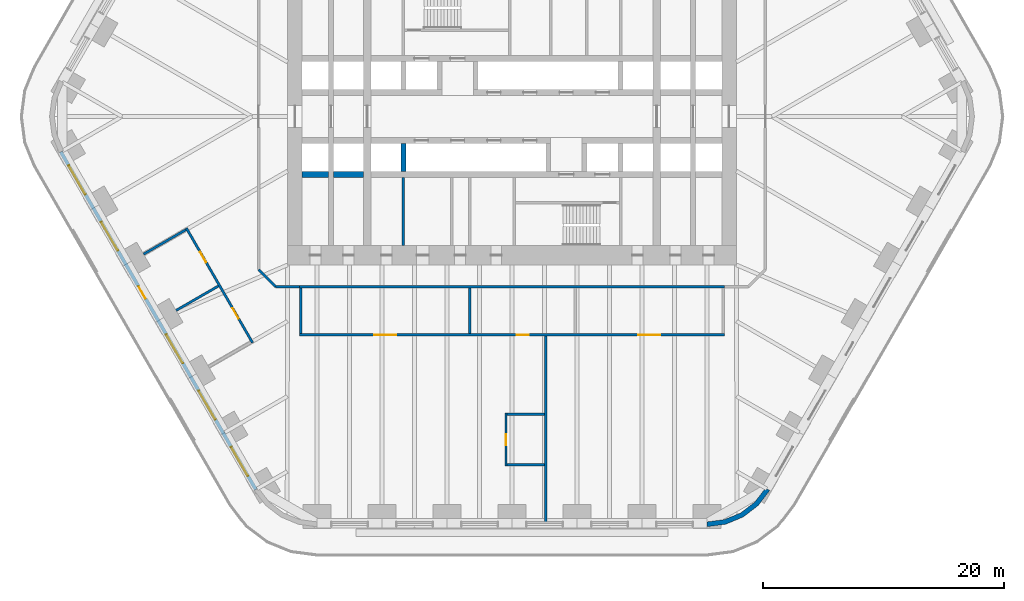
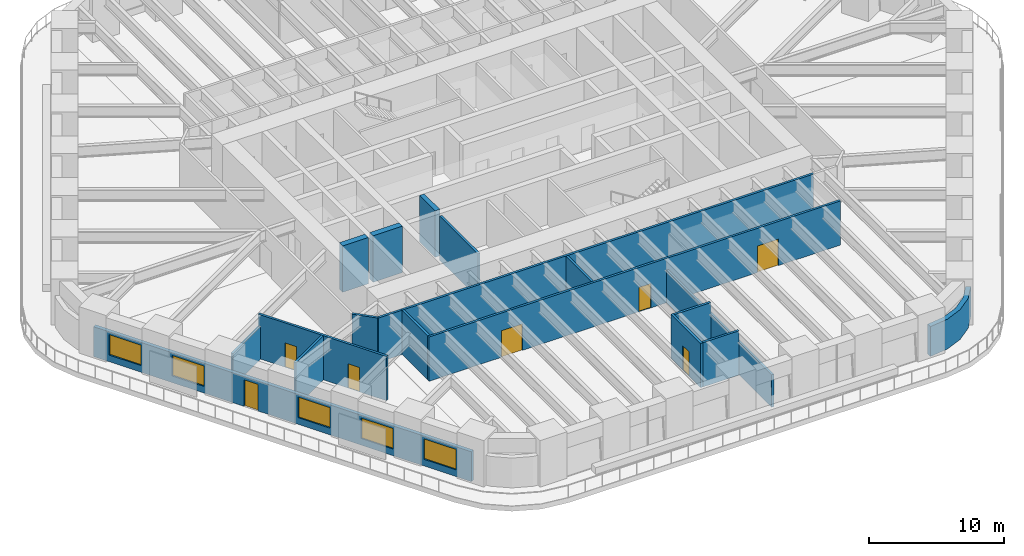
# One storey, part 16 of 23: 19 walls, 7 doors, 5 windows, 12 openings.
"""IFC4 building model written with IfcOpenShell, lengths in metres."""

from ifc_helpers import new_model, si_unit, direction, frame, frame_2d, origin, place, context, subcontext, project, spatial, polyline, rectangle, outline, extrude, material, layer, layer_set, type_object, element, fill, save


model = new_model("IFC4")

# Units and contexts
model_context = context("Model", 3, precision=1e-05, world=origin(), true_north=direction((0.0, 1.0)))
body_context = subcontext(model_context, "Body", "Model", "MODEL_VIEW")
ifc_project = project(units=[si_unit("LENGTHUNIT", "METRE"), si_unit("AREAUNIT", "SQUARE_METRE"), si_unit("VOLUMEUNIT", "CUBIC_METRE"), si_unit("PLANEANGLEUNIT", "RADIAN"), si_unit("MASSUNIT", "GRAM", prefix="KILO")], contexts=[model_context])

# Site, building, storey
site_placement = place(None, origin())
site = spatial("IfcSite", under=ifc_project, at=site_placement, CompositionType="ELEMENT")
building_placement = place(site_placement, origin())
building = spatial("IfcBuilding", under=site, at=building_placement, Name="Tarfa Lantern Tower", CompositionType="ELEMENT")
storey_placement = place(building_placement, frame((0.0, 0.0, 36.10009765625)))
storey = spatial("IfcBuildingStorey", under=building, at=storey_placement, Name="L07", CompositionType="ELEMENT", Elevation=36.10009765625)

# Wall, openings, door, windows
ifc_material_1 = material(Name="Limestone cladding on blockwork", Category="masonry")
ifc_layer_1 = layer(ifc_material_1, 0.300048828125)
ifc_layer_set_1 = layer_set([ifc_layer_1], Name="EW1 STONE-CLAD WALL 300")
wall_type_1 = type_object("IfcWallType", Name="EW1 STONE-CLAD WALL 300", PredefinedType="SOLIDWALL", material=ifc_layer_set_1)
wall_1_placement = place(storey_placement, frame((-37.39794921875, -2.925048828125, 0.0), z_axis=(0.0, 0.0, 1.0), x_axis=(0.499999163675, -0.866025886636, 0.0)))
wall_1 = element("IfcWall", 1, at=wall_1_placement, inside=storey, type_object=wall_type_1, Name="Stone wall SW", PredefinedType="SOLIDWALL", context=body_context, shape_type="SweptSolid", body=[
    extrude(rectangle(XDim=32.33154296875, YDim=0.300048828125, at=frame_2d((16.165771484375, 0.0))), origin(), (0.0, 0.0, 1.0), 2.699951171875),
])
opening_1_placement = place(wall_1_placement, frame((1.3193359375, 0.0, 0.60009765625)))
opening_1 = element("IfcOpeningElement", 2, at=opening_1_placement, cuts=wall_1, Name="Opening W2", PredefinedType="OPENING", context=body_context, shape_type="SweptSolid", body=[
    extrude(rectangle(XDim=2.75, YDim=1.85009765625, at=frame_2d((1.375, 0.925048828125))), frame((0.0, 0.159912109375, 0.0), z_axis=(0.0, -1.0, 0.0), x_axis=(1.0, 0.0, 0.0)), (0.0, 0.0, 1.0), 0.320068359375),
])
opening_2_placement = place(wall_1_placement, frame((6.7080078125, 0.0, 0.60009765625)))
opening_2 = element("IfcOpeningElement", 3, at=opening_2_placement, cuts=wall_1, Name="Opening W2", PredefinedType="OPENING", context=body_context, shape_type="SweptSolid", body=[
    extrude(rectangle(XDim=2.75, YDim=1.85009765625, at=frame_2d((1.375, 0.925048828125))), frame((0.0, 0.159912109375, 0.0), z_axis=(0.0, -1.0, 0.0), x_axis=(1.0, 0.0, 0.0)), (0.0, 0.0, 1.0), 0.320068359375),
])
opening_3_placement = place(wall_1_placement, frame((12.87158203125, 0.0, 0.0)))
opening_3 = element("IfcOpeningElement", 4, at=opening_3_placement, cuts=wall_1, Name="Opening D43", PredefinedType="OPENING", context=body_context, shape_type="SweptSolid", body=[
    extrude(rectangle(XDim=1.199951171875, YDim=2.39990234375, at=frame_2d((0.60009765625, 1.199951171875))), frame((0.0, 0.159912109375, 0.0), z_axis=(0.0, -1.0, 0.0), x_axis=(1.0, 0.0, 0.0)), (0.0, 0.0, 1.0), 0.320068359375),
])
opening_4_placement = place(wall_1_placement, frame((17.485107421875, 0.0, 0.60009765625)))
opening_4 = element("IfcOpeningElement", 5, at=opening_4_placement, cuts=wall_1, Name="Opening W2", PredefinedType="OPENING", context=body_context, shape_type="SweptSolid", body=[
    extrude(rectangle(XDim=2.75, YDim=1.85009765625, at=frame_2d((1.375, 0.925048828125))), frame((0.0, 0.159912109375, 0.0), z_axis=(0.0, -1.0, 0.0), x_axis=(1.0, 0.0, 0.0)), (0.0, 0.0, 1.0), 0.320068359375),
])
opening_5_placement = place(wall_1_placement, frame((22.873779296875, 0.0, 0.60009765625)))
opening_5 = element("IfcOpeningElement", 6, at=opening_5_placement, cuts=wall_1, Name="Opening W2", PredefinedType="OPENING", context=body_context, shape_type="SweptSolid", body=[
    extrude(rectangle(XDim=2.75, YDim=1.85009765625, at=frame_2d((1.375, 0.925048828125))), frame((0.0, 0.159912109375, 0.0), z_axis=(0.0, -1.0, 0.0), x_axis=(1.0, 0.0, 0.0)), (0.0, 0.0, 1.0), 0.320068359375),
])
opening_6_placement = place(wall_1_placement, frame((28.26220703125, 0.0, 0.60009765625)))
opening_6 = element("IfcOpeningElement", 7, at=opening_6_placement, cuts=wall_1, Name="Opening W2", PredefinedType="OPENING", context=body_context, shape_type="SweptSolid", body=[
    extrude(rectangle(XDim=2.75, YDim=1.85009765625, at=frame_2d((1.375, 0.925048828125))), frame((0.0, 0.159912109375, 0.0), z_axis=(0.0, -1.0, 0.0), x_axis=(1.0, 0.0, 0.0)), (0.0, 0.0, 1.0), 0.320068359375),
])
ifc_material_2 = material(Name="Aluminium framed glazed door", Category="aluminium")
door_type_1 = type_object("IfcDoorType", Name="BE3 BALCONY DOOR 1200x2400", OperationType="SINGLE_SWING_RIGHT", PredefinedType="DOOR", material=ifc_material_2)
door_1_placement = place(opening_3_placement, origin())
door_1 = element("IfcDoor", 8, at=door_1_placement, inside=storey, type_object=door_type_1, Name="Balcony door SW", OperationType="SINGLE_SWING_RIGHT", OverallHeight=2.39990234375, OverallWidth=1.199951171875, PredefinedType="DOOR", context=body_context, shape_type="SweptSolid", body=[
    extrude(rectangle(XDim=1.199951171875, YDim=2.39990234375, at=frame_2d((0.60009765625, 1.199951171875))), frame((0.0, 0.02490234375, 0.0), z_axis=(0.0, -1.0, 0.0), x_axis=(1.0, 0.0, 0.0)), (0.0, 0.0, 1.0), 0.050048828125),
])
fill(opening_3, door_1)
ifc_material_3 = material(Name="Aluminium frame, double glazed", Category="aluminium")
window_type = type_object("IfcWindowType", Name="W2 FULL-HEIGHT GLAZING 2750x1850", PartitioningType="SINGLE_PANEL", PredefinedType="WINDOW", material=ifc_material_3)
window_1_placement = place(opening_1_placement, origin())
window_1 = element("IfcWindow", 9, at=window_1_placement, inside=storey, type_object=window_type, Name="Window SW 1", OverallHeight=1.85009765625, OverallWidth=2.75, PartitioningType="SINGLE_PANEL", PredefinedType="WINDOW", context=body_context, shape_type="SweptSolid", body=[
    extrude(rectangle(XDim=2.75, YDim=1.85009765625, at=frame_2d((1.375, 0.925048828125))), frame((0.0, 0.030029296875, 0.0), z_axis=(0.0, -1.0, 0.0), x_axis=(1.0, 0.0, 0.0)), (0.0, 0.0, 1.0), 0.06005859375),
])
fill(opening_1, window_1)
window_2_placement = place(opening_2_placement, origin())
window_2 = element("IfcWindow", 10, at=window_2_placement, inside=storey, type_object=window_type, Name="Window SW 2", OverallHeight=1.85009765625, OverallWidth=2.75, PartitioningType="SINGLE_PANEL", PredefinedType="WINDOW", context=body_context, shape_type="SweptSolid", body=[
    extrude(rectangle(XDim=2.75, YDim=1.85009765625, at=frame_2d((1.375, 0.925048828125))), frame((0.0, 0.030029296875, 0.0), z_axis=(0.0, -1.0, 0.0), x_axis=(1.0, 0.0, 0.0)), (0.0, 0.0, 1.0), 0.06005859375),
])
fill(opening_2, window_2)
window_3_placement = place(opening_4_placement, origin())
window_3 = element("IfcWindow", 11, at=window_3_placement, inside=storey, type_object=window_type, Name="Window SW 4", OverallHeight=1.85009765625, OverallWidth=2.75, PartitioningType="SINGLE_PANEL", PredefinedType="WINDOW", context=body_context, shape_type="SweptSolid", body=[
    extrude(rectangle(XDim=2.75, YDim=1.85009765625, at=frame_2d((1.375, 0.925048828125))), frame((0.0, 0.030029296875, 0.0), z_axis=(0.0, -1.0, 0.0), x_axis=(1.0, 0.0, 0.0)), (0.0, 0.0, 1.0), 0.06005859375),
])
fill(opening_4, window_3)
window_4_placement = place(opening_5_placement, origin())
window_4 = element("IfcWindow", 12, at=window_4_placement, inside=storey, type_object=window_type, Name="Window SW 5", OverallHeight=1.85009765625, OverallWidth=2.75, PartitioningType="SINGLE_PANEL", PredefinedType="WINDOW", context=body_context, shape_type="SweptSolid", body=[
    extrude(rectangle(XDim=2.75, YDim=1.85009765625, at=frame_2d((1.375, 0.925048828125))), frame((0.0, 0.030029296875, 0.0), z_axis=(0.0, -1.0, 0.0), x_axis=(1.0, 0.0, 0.0)), (0.0, 0.0, 1.0), 0.06005859375),
])
fill(opening_5, window_4)
window_5_placement = place(opening_6_placement, origin())
window_5 = element("IfcWindow", 13, at=window_5_placement, inside=storey, type_object=window_type, Name="Window SW 6", OverallHeight=1.85009765625, OverallWidth=2.75, PartitioningType="SINGLE_PANEL", PredefinedType="WINDOW", context=body_context, shape_type="SweptSolid", body=[
    extrude(rectangle(XDim=2.75, YDim=1.85009765625, at=frame_2d((1.375, 0.925048828125))), frame((0.0, 0.030029296875, 0.0), z_axis=(0.0, -1.0, 0.0), x_axis=(1.0, 0.0, 0.0)), (0.0, 0.0, 1.0), 0.06005859375),
])
fill(opening_6, window_5)

# Walls
ifc_layer_2 = layer(ifc_material_1, 0.39990234375)
ifc_layer_set_2 = layer_set([ifc_layer_2], Name="EW2 CURVED STONE CORNER 400")
wall_type_2 = type_object("IfcWallType", Name="EW2 CURVED STONE CORNER 400", PredefinedType="SOLIDWALL", material=ifc_layer_set_2)
wall_2_placement = place(storey_placement, origin())
element("IfcWall", 14, at=wall_2_placement, inside=storey, type_object=wall_type_2, Name="Stone corner S-SE", PredefinedType="SOLIDWALL", context=body_context, shape_type="SweptSolid", body=[
    extrude(outline(polyline([(16.165771484375, -34.0), (17.71875, -33.795654296875), (19.165771484375, -33.196044921875), (20.408447265625, -32.24267578125), (21.362060546875, -31.0), (21.015625, -30.800048828125), (20.12548828125, -31.959716796875), (18.9658203125, -32.849853515625), (17.615234375, -33.4091796875), (16.165771484375, -33.60009765625), (16.165771484375, -34.0)])), origin(), (0.0, 0.0, 1.0), 2.699951171875),
])
ifc_material_4 = material(Name="Concrete blockwork", Category="masonry")
ifc_layer_3 = layer(ifc_material_4, 0.199951171875)
ifc_layer_set_3 = layer_set([ifc_layer_3], Name="IW1 BLOCKWORK PARTITION 200 EI 120")
wall_type_3 = type_object("IfcWallType", Name="IW1 BLOCKWORK PARTITION 200 EI 120", PredefinedType="PARTITIONING", material=ifc_layer_set_3)
wall_3_placement = place(storey_placement, frame((-9.0, -5.050048828125, 0.0), z_axis=(0.0, 0.0, 1.0), x_axis=(0.0, -1.0, 0.0)))
element("IfcWall", 15, at=wall_3_placement, inside=storey, type_object=wall_type_3, Name="Core partition", PredefinedType="PARTITIONING", context=body_context, shape_type="SweptSolid", body=[
    extrude(rectangle(XDim=5.64990234375, YDim=0.199951171875, at=frame_2d((2.824951171875, 0.0))), origin(), (0.0, 0.0, 1.0), 4.0),
])
ifc_material_5 = material(Name="Gypsum board on steel studs", Category="steel")
ifc_layer_4 = layer(ifc_material_5, 0.2099609375)
ifc_layer_set_4 = layer_set([ifc_layer_4], Name="IW2 ACOUSTIC PARTITION 200")
wall_type_4 = type_object("IfcWallType", Name="IW2 ACOUSTIC PARTITION 200", PredefinedType="PARTITIONING", material=ifc_layer_set_4)
wall_4_placement = place(storey_placement, frame((17.60009765625, -14.10009765625, 0.0), z_axis=(0.0, 0.0, 1.0), x_axis=(-1.0, 0.0, 0.0)))
element("IfcWall", 16, at=wall_4_placement, inside=storey, type_object=wall_type_4, Name="Partition", PredefinedType="PARTITIONING", context=body_context, shape_type="SweptSolid", body=[
    extrude(rectangle(XDim=35.2001953125, YDim=0.199951171875, at=frame_2d((17.60009765625, 0.0))), origin(), (0.0, 0.0, 1.0), 4.0),
])

# Wall, openings, doors
wall_5_placement = place(storey_placement, frame((17.60009765625, -18.10009765625, 0.0), z_axis=(0.0, 0.0, 1.0), x_axis=(-1.0, 0.0, 0.0)))
wall_5 = element("IfcWall", 17, at=wall_5_placement, inside=storey, type_object=wall_type_4, Name="Partition", PredefinedType="PARTITIONING", context=body_context, shape_type="SweptSolid", body=[
    extrude(rectangle(XDim=35.2001953125, YDim=0.199951171875, at=frame_2d((17.60009765625, 0.0))), origin(), (0.0, 0.0, 1.0), 4.0),
])
opening_7_placement = place(wall_5_placement, frame((5.324951171875, 0.0, 0.0)))
opening_7 = element("IfcOpeningElement", 18, at=opening_7_placement, cuts=wall_5, Name="Opening D34", PredefinedType="OPENING", context=body_context, shape_type="SweptSolid", body=[
    extrude(rectangle(XDim=1.800048828125, YDim=2.39990234375, at=frame_2d((0.89990234375, 1.199951171875))), frame((0.0, 0.10986328125, 0.0), z_axis=(0.0, -1.0, 0.0), x_axis=(1.0, 0.0, 0.0)), (0.0, 0.0, 1.0), 0.219970703125),
])
opening_8_placement = place(wall_5_placement, frame((16.22509765625, 0.0, 0.0)))
opening_8 = element("IfcOpeningElement", 19, at=opening_8_placement, cuts=wall_5, Name="Opening D35", PredefinedType="OPENING", context=body_context, shape_type="SweptSolid", body=[
    extrude(rectangle(XDim=1.0, YDim=2.199951171875, at=frame_2d((0.5, 1.10009765625))), frame((0.0, 0.10986328125, 0.0), z_axis=(0.0, -1.0, 0.0), x_axis=(1.0, 0.0, 0.0)), (0.0, 0.0, 1.0), 0.219970703125),
])
opening_9_placement = place(wall_5_placement, frame((27.199951171875, 0.0, 0.0)))
opening_9 = element("IfcOpeningElement", 20, at=opening_9_placement, cuts=wall_5, Name="Opening D36", PredefinedType="OPENING", context=body_context, shape_type="SweptSolid", body=[
    extrude(rectangle(XDim=1.800048828125, YDim=2.39990234375, at=frame_2d((0.89990234375, 1.199951171875))), frame((0.0, 0.10986328125, 0.0), z_axis=(0.0, -1.0, 0.0), x_axis=(1.0, 0.0, 0.0)), (0.0, 0.0, 1.0), 0.219970703125),
])
ifc_material_6 = material(Name="Timber door", Category="wood")
door_type_2 = type_object("IfcDoorType", Name="DR1 ROOM DOOR 1000x2200", OperationType="SINGLE_SWING_LEFT", PredefinedType="DOOR", material=ifc_material_6)
door_2_placement = place(opening_8_placement, frame((1.0, 0.0, 0.0), z_axis=(0.0, 0.0, 1.0), x_axis=(-1.0, 0.0, 0.0)))
door_2 = element("IfcDoor", 21, at=door_2_placement, inside=storey, type_object=door_type_2, Name="Print room door", OperationType="SINGLE_SWING_LEFT", OverallHeight=2.199951171875, OverallWidth=1.0, PredefinedType="DOOR", context=body_context, shape_type="SweptSolid", body=[
    extrude(rectangle(XDim=1.0, YDim=2.199951171875, at=frame_2d((0.5, 1.10009765625))), frame((0.0, 0.02490234375, 0.0), z_axis=(0.0, -1.0, 0.0), x_axis=(1.0, 0.0, 0.0)), (0.0, 0.0, 1.0), 0.050048828125),
])
fill(opening_8, door_2)
door_type_3 = type_object("IfcDoorType", Name="DR2 ROOM DOOR 1800x2400", OperationType="DOUBLE_DOOR_SINGLE_SWING", PredefinedType="DOOR", material=ifc_material_6)
door_3_placement = place(opening_7_placement, frame((1.800048828125, 0.0, 0.0), z_axis=(0.0, 0.0, 1.0), x_axis=(-1.0, 0.0, 0.0)))
door_3 = element("IfcDoor", 22, at=door_3_placement, inside=storey, type_object=door_type_3, Name="Quiet room door", OperationType="DOUBLE_DOOR_SINGLE_SWING", OverallHeight=2.39990234375, OverallWidth=1.800048828125, PredefinedType="DOOR", context=body_context, shape_type="SweptSolid", body=[
    extrude(rectangle(XDim=1.800048828125, YDim=2.39990234375, at=frame_2d((0.89990234375, 1.199951171875))), frame((0.0, 0.02490234375, 0.0), z_axis=(0.0, -1.0, 0.0), x_axis=(1.0, 0.0, 0.0)), (0.0, 0.0, 1.0), 0.050048828125),
])
fill(opening_7, door_3)
door_4_placement = place(opening_9_placement, frame((1.800048828125, 0.0, 0.0), z_axis=(0.0, 0.0, 1.0), x_axis=(-1.0, 0.0, 0.0)))
door_4 = element("IfcDoor", 23, at=door_4_placement, inside=storey, type_object=door_type_3, Name="Pantry door", OperationType="DOUBLE_DOOR_SINGLE_SWING", OverallHeight=2.39990234375, OverallWidth=1.800048828125, PredefinedType="DOOR", context=body_context, shape_type="SweptSolid", body=[
    extrude(rectangle(XDim=1.800048828125, YDim=2.39990234375, at=frame_2d((0.89990234375, 1.199951171875))), frame((0.0, 0.02490234375, 0.0), z_axis=(0.0, -1.0, 0.0), x_axis=(1.0, 0.0, 0.0)), (0.0, 0.0, 1.0), 0.050048828125),
])
fill(opening_9, door_4)

# Walls
for number, where, z_axis, x_axis, name in (
    (24, (-3.5, -14.199951171875, 0.0), (0.0, 0.0, 1.0), (0.0, -1.0, 0.0), "Partition"),
    (25, (-17.5, -14.199951171875, 0.0), (0.0, 0.0, 1.0), (0.0, -1.0, 0.0), "Partition"),
):
    element("IfcWall", number, at=place(storey_placement, frame(where, z_axis=z_axis, x_axis=x_axis)), inside=storey, type_object=wall_type_4, Name=name, PredefinedType="PARTITIONING", context=body_context, shape_type="SweptSolid", body=[
        extrude(rectangle(XDim=3.800048828125, YDim=0.199951171875, at=frame_2d((1.89990234375, 0.0))), origin(), (0.0, 0.0, 1.0), 4.0),
    ])

# Wall, openings, doors
wall_6_placement = place(storey_placement, frame((-26.992919921875, -9.246826171875, 0.0), z_axis=(0.0, 0.0, 1.0), x_axis=(0.500002255551, -0.866024101537, 0.0)))
wall_6 = element("IfcWall", 26, at=wall_6_placement, inside=storey, type_object=wall_type_4, Name="Partition", PredefinedType="PARTITIONING", context=body_context, shape_type="SweptSolid", body=[
    extrude(rectangle(XDim=10.97705078125, YDim=0.199951171875, at=frame_2d((5.488525390625, 0.0))), origin(), (0.0, 0.0, 1.0), 4.0),
])
opening_10_placement = place(wall_6_placement, frame((2.294189453125, 0.0, 0.0)))
opening_10 = element("IfcOpeningElement", 27, at=opening_10_placement, cuts=wall_6, Name="Opening D30", PredefinedType="OPENING", context=body_context, shape_type="SweptSolid", body=[
    extrude(rectangle(XDim=1.0, YDim=2.199951171875, at=frame_2d((0.5, 1.10009765625))), frame((0.0, 0.10986328125, 0.0), z_axis=(0.0, -1.0, 0.0), x_axis=(1.0, 0.0, 0.0)), (0.0, 0.0, 1.0), 0.219970703125),
])
opening_11_placement = place(wall_6_placement, frame((7.682861328125, 0.0, 0.0)))
opening_11 = element("IfcOpeningElement", 28, at=opening_11_placement, cuts=wall_6, Name="Opening D31", PredefinedType="OPENING", context=body_context, shape_type="SweptSolid", body=[
    extrude(rectangle(XDim=1.0, YDim=2.199951171875, at=frame_2d((0.5, 1.10009765625))), frame((0.0, 0.10986328125, 0.0), z_axis=(0.0, -1.0, 0.0), x_axis=(1.0, 0.0, 0.0)), (0.0, 0.0, 1.0), 0.219970703125),
])
door_5_placement = place(opening_10_placement, frame((1.0, 0.0, 0.0), z_axis=(0.0, 0.0, 1.0), x_axis=(-1.0, 0.0, 0.0)))
door_5 = element("IfcDoor", 29, at=door_5_placement, inside=storey, type_object=door_type_2, Name="Communications room door", OperationType="SINGLE_SWING_LEFT", OverallHeight=2.199951171875, OverallWidth=1.0, PredefinedType="DOOR", context=body_context, shape_type="SweptSolid", body=[
    extrude(rectangle(XDim=1.0, YDim=2.199951171875, at=frame_2d((0.5, 1.10009765625))), frame((0.0, 0.02490234375, 0.0), z_axis=(0.0, -1.0, 0.0), x_axis=(1.0, 0.0, 0.0)), (0.0, 0.0, 1.0), 0.050048828125),
])
fill(opening_10, door_5)
door_6_placement = place(opening_11_placement, frame((1.0, 0.0, 0.0), z_axis=(0.0, 0.0, 1.0), x_axis=(-1.0, 0.0, 0.0)))
door_6 = element("IfcDoor", 30, at=door_6_placement, inside=storey, type_object=door_type_2, Name="Equipment room door", OperationType="SINGLE_SWING_RIGHT", OverallHeight=2.199951171875, OverallWidth=1.0, PredefinedType="DOOR", context=body_context, shape_type="SweptSolid", body=[
    extrude(rectangle(XDim=1.0, YDim=2.199951171875, at=frame_2d((0.5, 1.10009765625))), frame((0.0, 0.02490234375, 0.0), z_axis=(0.0, -1.0, 0.0), x_axis=(1.0, 0.0, 0.0)), (0.0, 0.0, 1.0), 0.050048828125),
])
fill(opening_11, door_6)

# Walls
wall_7_placement = place(storey_placement, frame((-27.029541015625, -9.38330078125, 0.0), z_axis=(0.0, 0.0, 1.0), x_axis=(-0.866019956843, -0.50000943426, 0.0)))
element("IfcWall", 31, at=wall_7_placement, inside=storey, type_object=wall_type_4, Name="Partition", PredefinedType="PARTITIONING", context=body_context, shape_type="SweptSolid", body=[
    extrude(rectangle(XDim=4.05029296875, YDim=0.199951171875, at=frame_2d((2.025146484375, 0.0))), origin(), (0.0, 0.0, 1.0), 2.94384765625),
])
wall_8_placement = place(storey_placement, frame((-24.335205078125, -14.050048828125, 0.0), z_axis=(0.0, 0.0, 1.0), x_axis=(-0.866046058097, -0.499964223975, 0.0)))
element("IfcWall", 32, at=wall_8_placement, inside=storey, type_object=wall_type_4, Name="Partition", PredefinedType="PARTITIONING", context=body_context, shape_type="SweptSolid", body=[
    extrude(rectangle(XDim=4.050048828125, YDim=0.199951171875, at=frame_2d((2.02490234375, 0.0))), origin(), (0.0, 0.0, 1.0), 4.0),
])
wall_9_placement = place(storey_placement, frame((-17.60009765625, -14.10009765625, 0.0), z_axis=(0.0, 0.0, 1.0), x_axis=(-1.0, 0.0, 0.0)))
element("IfcWall", 33, at=wall_9_placement, inside=storey, type_object=wall_type_4, Name="Partition", PredefinedType="PARTITIONING", context=body_context, shape_type="SweptSolid", body=[
    extrude(rectangle(XDim=2.0, YDim=0.199951171875, at=frame_2d((1.0, 0.0))), origin(), (0.0, 0.0, 1.0), 4.0),
])
wall_10_placement = place(storey_placement, frame((-19.60009765625, -14.10009765625, 0.0), z_axis=(0.0, 0.0, 1.0), x_axis=(-0.707045124756, 0.707168432242, 0.0)))
element("IfcWall", 34, at=wall_10_placement, inside=storey, type_object=wall_type_4, Name="Partition", PredefinedType="PARTITIONING", context=body_context, shape_type="SweptSolid", body=[
    extrude(rectangle(XDim=1.97998046875, YDim=0.199951171875, at=frame_2d((0.989990234375, 0.0))), origin(), (0.0, 0.0, 1.0), 4.0),
])
wall_11_placement = place(storey_placement, frame((2.800048828125, -18.199951171875, 0.0), z_axis=(0.0, 0.0, 1.0), x_axis=(0.0, -1.0, 0.0)))
element("IfcWall", 35, at=wall_11_placement, inside=storey, type_object=wall_type_4, Name="Partition", PredefinedType="PARTITIONING", context=body_context, shape_type="SweptSolid", body=[
    extrude(rectangle(XDim=15.60009765625, YDim=0.199951171875, at=frame_2d((7.800048828125, 0.0))), origin(), (0.0, 0.0, 1.0), 2.94384765625),
])

# Wall, opening, door
wall_12_placement = place(storey_placement, frame((-0.5, -24.580078125, 0.0), z_axis=(0.0, 0.0, 1.0), x_axis=(0.0, -1.0, 0.0)))
wall_12 = element("IfcWall", 36, at=wall_12_placement, inside=storey, type_object=wall_type_4, Name="Partition", PredefinedType="PARTITIONING", context=body_context, shape_type="SweptSolid", body=[
    extrude(rectangle(XDim=4.39990234375, YDim=0.199951171875, at=frame_2d((2.199951171875, 0.0))), origin(), (0.0, 0.0, 1.0), 4.0),
])
opening_12_placement = place(wall_12_placement, frame((1.75, 0.0, 0.0)))
opening_12 = element("IfcOpeningElement", 37, at=opening_12_placement, cuts=wall_12, Name="Opening D37", PredefinedType="OPENING", context=body_context, shape_type="SweptSolid", body=[
    extrude(rectangle(XDim=0.89990234375, YDim=2.199951171875, at=frame_2d((0.449951171875, 1.10009765625))), frame((0.0, 0.10986328125, 0.0), z_axis=(0.0, -1.0, 0.0), x_axis=(1.0, 0.0, 0.0)), (0.0, 0.0, 1.0), 0.219970703125),
])
door_type_4 = type_object("IfcDoorType", Name="DR3 ROOM DOOR 900x2200", OperationType="SINGLE_SWING_LEFT", PredefinedType="DOOR", material=ifc_material_6)
door_7_placement = place(opening_12_placement, origin())
door_7 = element("IfcDoor", 38, at=door_7_placement, inside=storey, type_object=door_type_4, Name="Breakout pantry door", OperationType="SINGLE_SWING_RIGHT", OverallHeight=2.199951171875, OverallWidth=0.89990234375, PredefinedType="DOOR", context=body_context, shape_type="SweptSolid", body=[
    extrude(rectangle(XDim=0.89990234375, YDim=2.199951171875, at=frame_2d((0.449951171875, 1.10009765625))), frame((0.0, 0.02490234375, 0.0), z_axis=(0.0, -1.0, 0.0), x_axis=(1.0, 0.0, 0.0)), (0.0, 0.0, 1.0), 0.050048828125),
])
fill(opening_12, door_7)

# Walls
for number, where, z_axis, x_axis, name in (
    (39, (2.699951171875, -24.679931640625, 0.0), (0.0, 0.0, 1.0), (-1.0, 0.0, 0.0), "Partition"),
    (40, (2.699951171875, -28.8798828125, 0.0), (0.0, 0.0, 1.0), (-1.0, 0.0, 0.0), "Partition"),
):
    element("IfcWall", number, at=place(storey_placement, frame(where, z_axis=z_axis, x_axis=x_axis)), inside=storey, type_object=wall_type_4, Name=name, PredefinedType="PARTITIONING", context=body_context, shape_type="SweptSolid", body=[
        extrude(rectangle(XDim=3.099853515625, YDim=0.199951171875, at=frame_2d((1.5498046875, 0.0))), origin(), (0.0, 0.0, 1.0), 4.0),
    ])
ifc_material_7 = material(Name="Concrete C80/95", Category="concrete")
ifc_layer_5 = layer(ifc_material_7, 0.5)
ifc_layer_set_5 = layer_set([ifc_layer_5], Name="SW5 CORE WALL 500")
wall_type_5 = type_object("IfcWallType", Name="SW5 CORE WALL 500", PredefinedType="SHEAR", material=ifc_layer_set_5)
wall_13_placement = place(storey_placement, frame((-12.300048828125, -4.800048828125, 0.0), z_axis=(0.0, 0.0, 1.0), x_axis=(-1.0, 0.0, 0.0)))
element("IfcWall", 41, at=wall_13_placement, inside=storey, type_object=wall_type_5, Name="Core wall rear S", PredefinedType="SHEAR", context=body_context, shape_type="SweptSolid", body=[
    extrude(rectangle(XDim=2.5, YDim=0.5, at=frame_2d((1.25, 0.0))), origin(), (0.0, 0.0, 1.0), 4.199951171875),
])
wall_14_placement = place(storey_placement, frame((-15.199951171875, -4.800048828125, 0.0), z_axis=(0.0, 0.0, 1.0), x_axis=(-1.0, 0.0, 0.0)))
element("IfcWall", 42, at=wall_14_placement, inside=storey, type_object=wall_type_5, Name="Core wall rear S", PredefinedType="SHEAR", context=body_context, shape_type="SweptSolid", body=[
    extrude(rectangle(XDim=2.199951171875, YDim=0.5, at=frame_2d((1.10009765625, 0.0))), origin(), (0.0, 0.0, 1.0), 4.199951171875),
])
ifc_layer_6 = layer(ifc_material_7, 0.39990234375)
ifc_layer_set_6 = layer_set([ifc_layer_6], Name="SW6 CORE WALL 400")
wall_type_6 = type_object("IfcWallType", Name="SW6 CORE WALL 400", PredefinedType="SHEAR", material=ifc_layer_set_6)
wall_15_placement = place(storey_placement, frame((-9.0, -2.25, 0.0), z_axis=(0.0, 0.0, 1.0), x_axis=(0.0, -1.0, 0.0)))
element("IfcWall", 43, at=wall_15_placement, inside=storey, type_object=wall_type_6, Name="Core wall divider S", PredefinedType="SHEAR", context=body_context, shape_type="SweptSolid", body=[
    extrude(rectangle(XDim=2.300048828125, YDim=0.39990234375, at=frame_2d((1.14990234375, 0.0))), origin(), (0.0, 0.0, 1.0), 4.199951171875),
])

save(model, "model.ifc")
